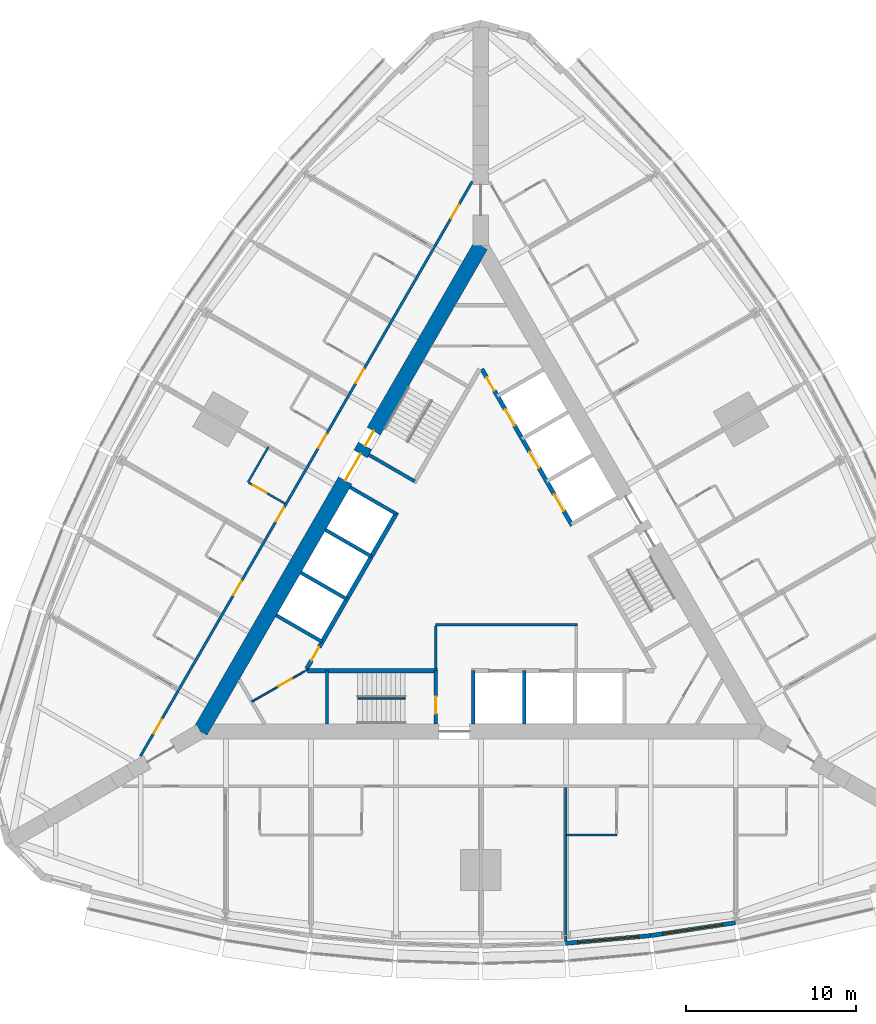
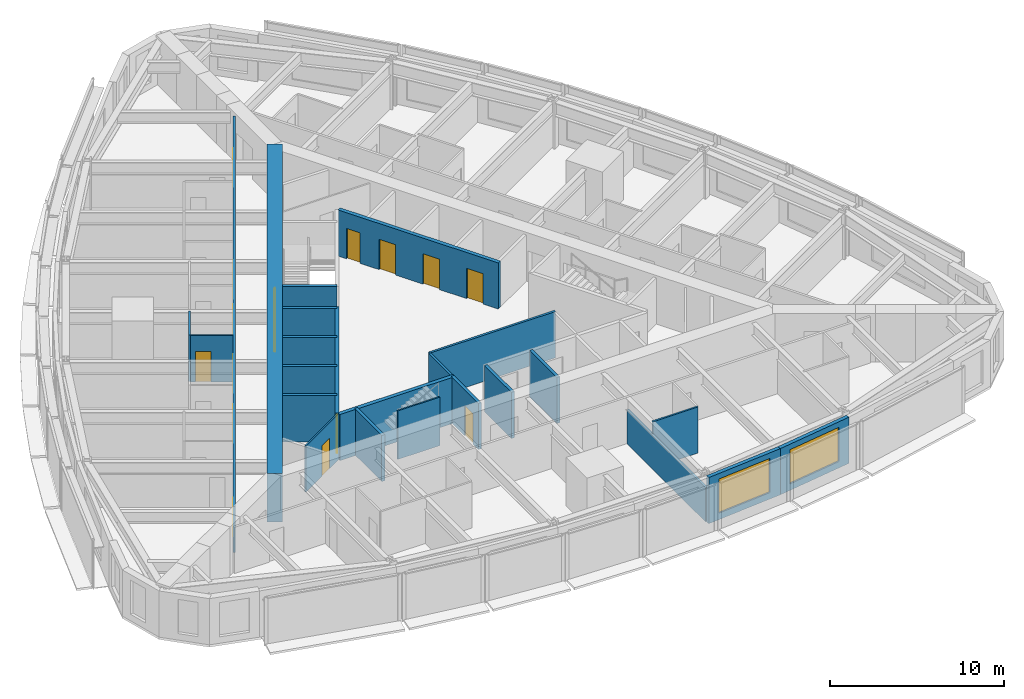
# One storey, part 9 of 14: 24 walls, 16 doors, 2 windows, 18 openings.
"""IFC4 building model written with IfcOpenShell, lengths in metres."""

from ifc_helpers import new_model, si_unit, direction, frame, frame_2d, origin, place, context, subcontext, project, spatial, rectangle, extrude, material, layer, layer_set, type_object, element, fill, save


model = new_model("IFC4")

# Units and contexts
model_context = context("Model", 3, precision=1e-05, world=origin(), true_north=direction((0.0, 1.0)))
body_context = subcontext(model_context, "Body", "Model", "MODEL_VIEW")
ifc_project = project(units=[si_unit("LENGTHUNIT", "METRE"), si_unit("AREAUNIT", "SQUARE_METRE"), si_unit("VOLUMEUNIT", "CUBIC_METRE"), si_unit("PLANEANGLEUNIT", "RADIAN"), si_unit("MASSUNIT", "GRAM", prefix="KILO")], contexts=[model_context])

# Site, building, storey
site_placement = place(None, origin())
site = spatial("IfcSite", under=ifc_project, at=site_placement, CompositionType="ELEMENT")
building_placement = place(site_placement, origin())
building = spatial("IfcBuilding", under=site, at=building_placement, Name="Trikona Tower", CompositionType="ELEMENT")
storey_placement = place(building_placement, frame((0.0, 0.0, 52.300048828125)))
storey = spatial("IfcBuildingStorey", under=building, at=storey_placement, Name="L12", CompositionType="ELEMENT", Elevation=52.300048828125)

# Walls
ifc_material_1 = material(Name="Metal stud and cement board", Category="gypsum")
ifc_layer_1 = layer(ifc_material_1, 0.1201171875)
ifc_layer_set_1 = layer_set([ifc_layer_1], Name="Bathroom wall 120")
wall_type_1 = type_object("IfcWallType", Name="Bathroom wall 120", PredefinedType="PLUMBINGWALL", material=ifc_layer_set_1)
wall_1_placement = place(storey_placement, frame((5.0, -15.626220703125, 0.0), z_axis=(0.0, 0.0, 1.0), x_axis=(1.0, 0.0, 0.0)))
element("IfcWall", 1, at=wall_1_placement, inside=storey, type_object=wall_type_1, Name="Bathroom wall 1203", PredefinedType="PLUMBINGWALL", context=body_context, shape_type="SweptSolid", body=[
    extrude(rectangle(XDim=3.0, YDim=0.1201171875, at=frame_2d((1.5, 0.0))), origin(), (0.0, 0.0, 1.0), 3.23486328125),
])
wall_2_placement = place(storey_placement, frame((-12.493408203125, 7.213134765625, 0.0), z_axis=(0.0, 0.0, 1.0), x_axis=(-0.500077600433, -0.865980596518, 0.0)))
element("IfcWall", 2, at=wall_2_placement, inside=storey, type_object=wall_type_1, Name="Bathroom wall 1214", PredefinedType="PLUMBINGWALL", context=body_context, shape_type="SweptSolid", body=[
    extrude(rectangle(XDim=2.39990234375, YDim=0.1201171875, at=frame_2d((1.199951171875, 0.0))), origin(), (0.0, 0.0, 1.0), 3.23486328125),
])

# Wall, opening, door
wall_3_placement = place(storey_placement, frame((-11.528564453125, 3.884765625, 0.0), z_axis=(0.0, 0.0, 1.0), x_axis=(-0.866023955769, 0.500002508028, 0.0)))
wall_3 = element("IfcWall", 3, at=wall_3_placement, inside=storey, type_object=wall_type_1, Name="Bathroom wall 1214", PredefinedType="PLUMBINGWALL", context=body_context, shape_type="SweptSolid", body=[
    extrude(rectangle(XDim=2.43994140625, YDim=0.1201171875, at=frame_2d((1.219970703125, 0.0))), origin(), (0.0, 0.0, 1.0), 3.23486328125),
])
opening_1_placement = place(wall_3_placement, frame((1.25, 0.0, 0.0)))
opening_1 = element("IfcOpeningElement", 4, at=opening_1_placement, cuts=wall_3, Name="Opening D2", PredefinedType="OPENING", context=body_context, shape_type="SweptSolid", body=[
    extrude(rectangle(XDim=0.89990234375, YDim=2.1298828125, at=frame_2d((0.449951171875, 1.06494140625))), frame((0.0, 0.070068359375, 0.0), z_axis=(0.0, -1.0, 0.0), x_axis=(1.0, 0.0, 0.0)), (0.0, 0.0, 1.0), 0.14013671875),
])
ifc_material_2 = material(Name="Steel door frame with solid-core timber leaf", Category="steel")
door_type_1 = type_object("IfcDoorType", Name="Bathroom door 900x2130", OperationType="SLIDING_TO_LEFT", PredefinedType="DOOR", material=ifc_material_2)
door_1_placement = place(opening_1_placement, origin())
door_1 = element("IfcDoor", 5, at=door_1_placement, inside=storey, type_object=door_type_1, Name="Bathroom door 1214", OperationType="SLIDING_TO_LEFT", OverallHeight=2.1298828125, OverallWidth=0.89990234375, PredefinedType="DOOR", context=body_context, shape_type="SweptSolid", body=[
    extrude(rectangle(XDim=0.89990234375, YDim=2.1298828125, at=frame_2d((0.449951171875, 1.06494140625))), frame((0.0, 0.02490234375, 0.0), z_axis=(0.0, -1.0, 0.0), x_axis=(1.0, 0.0, 0.0)), (0.0, 0.0, 1.0), 0.050048828125),
])
fill(opening_1, door_1)

# Wall, openings, doors
ifc_material_3 = material(Name="Concrete f'c 10000 psi", Category="concrete")
ifc_layer_2 = layer(ifc_material_3, 0.89990234375)
ifc_layer_set_2 = layer_set([ifc_layer_2], Name="Core wall 900")
wall_type_2 = type_object("IfcWallType", Name="Core wall 900", PredefinedType="SHEAR", material=ifc_layer_set_2)
wall_4_placement = place(storey_placement, frame((0.0, 19.052490234375, 0.0), z_axis=(0.0, 0.0, 1.0), x_axis=(-0.499999749417, -0.866025548458, 0.0)))
wall_4 = element("IfcWall", 6, at=wall_4_placement, inside=storey, type_object=wall_type_2, Name="Core wall C", PredefinedType="SHEAR", context=body_context, shape_type="SweptSolid", body=[
    extrude(rectangle(XDim=33.0, YDim=0.89990234375, at=frame_2d((16.5, 0.0))), origin(), (0.0, 0.0, 1.0), 3.39990234375),
])
opening_2_placement = place(wall_4_placement, frame((14.14990234375, 0.0, 0.0)))
opening_2 = element("IfcOpeningElement", 7, at=opening_2_placement, cuts=wall_4, Name="Opening D6", PredefinedType="OPENING", context=body_context, shape_type="SweptSolid", body=[
    extrude(rectangle(XDim=1.800048828125, YDim=2.1298828125, at=frame_2d((0.89990234375, 1.06494140625))), frame((0.0, 0.4599609375, 0.0), z_axis=(0.0, -1.0, 0.0), x_axis=(1.0, 0.0, 0.0)), (0.0, 0.0, 1.0), 0.919921875),
])
opening_3_placement = place(wall_4_placement, frame((12.60009765625, 0.0, 0.0)))
opening_3 = element("IfcOpeningElement", 8, at=opening_3_placement, cuts=wall_4, Name="Opening D5", PredefinedType="OPENING", context=body_context, shape_type="SweptSolid", body=[
    extrude(rectangle(XDim=1.0, YDim=2.1298828125, at=frame_2d((0.5, 1.06494140625))), frame((0.0, 0.4599609375, 0.0), z_axis=(0.0, -1.0, 0.0), x_axis=(1.0, 0.0, 0.0)), (0.0, 0.0, 1.0), 0.919921875),
])
ifc_material_4 = material(Name="Hollow metal door and frame", Category="steel")
door_type_2 = type_object("IfcDoorType", Name="Lobby door pair 1800x2130", OperationType="DOUBLE_DOOR_SINGLE_SWING", PredefinedType="DOOR", material=ifc_material_4)
door_2_placement = place(opening_2_placement, origin())
door_2 = element("IfcDoor", 9, at=door_2_placement, inside=storey, type_object=door_type_2, Name="Lift lobby door C", OperationType="DOUBLE_DOOR_SINGLE_SWING", OverallHeight=2.1298828125, OverallWidth=1.800048828125, PredefinedType="DOOR", context=body_context, shape_type="SweptSolid", body=[
    extrude(rectangle(XDim=1.800048828125, YDim=2.1298828125, at=frame_2d((0.89990234375, 1.06494140625))), frame((0.0, 0.02490234375, 0.0), z_axis=(0.0, -1.0, 0.0), x_axis=(1.0, 0.0, 0.0)), (0.0, 0.0, 1.0), 0.050048828125),
])
fill(opening_2, door_2)
ifc_material_5 = material(Name="Hollow metal door and frame", Category="steel")
door_type_3 = type_object("IfcDoorType", Name="Stair door 1000x2130", OperationType="SINGLE_SWING_LEFT", PredefinedType="DOOR", material=ifc_material_5)
door_3_placement = place(opening_3_placement, origin())
door_3 = element("IfcDoor", 10, at=door_3_placement, inside=storey, type_object=door_type_3, Name="Stair C door", OperationType="SINGLE_SWING_RIGHT", OverallHeight=2.1298828125, OverallWidth=1.0, PredefinedType="DOOR", context=body_context, shape_type="SweptSolid", body=[
    extrude(rectangle(XDim=1.0, YDim=2.1298828125, at=frame_2d((0.5, 1.06494140625))), frame((0.0, 0.02490234375, 0.0), z_axis=(0.0, -1.0, 0.0), x_axis=(1.0, 0.0, 0.0)), (0.0, 0.0, 1.0), 0.050048828125),
])
fill(opening_3, door_3)

ifc_material_6 = material(Name="Metal stud and gypsum board, 1-hour", Category="gypsum")
ifc_layer_3 = layer(ifc_material_6, 0.14990234375)
ifc_layer_set_3 = layer_set([ifc_layer_3], Name="Corridor wall 150")
wall_type_3 = type_object("IfcWallType", Name="Corridor wall 150", PredefinedType="PARTITIONING", material=ifc_layer_set_3)
wall_5_placement = place(storey_placement, frame((-0.5, 22.83642578125, 0.0), z_axis=(0.0, 0.0, 1.0), x_axis=(-0.500001677587, -0.866024435227, 0.0)))
wall_5 = element("IfcWall", 11, at=wall_5_placement, inside=storey, type_object=wall_type_3, Name="Corridor wall L12-3", PredefinedType="PARTITIONING", context=body_context, shape_type="SweptSolid", body=[
    extrude(rectangle(XDim=39.053955078125, YDim=0.14990234375, at=frame_2d((19.52685546875, 0.0))), origin(), (0.0, 0.0, 1.0), 3.23486328125),
])
opening_4_placement = place(wall_5_placement, frame((1.558349609375, 0.0, 0.0)))
opening_4 = element("IfcOpeningElement", 12, at=opening_4_placement, cuts=wall_5, Name="Opening D1", PredefinedType="OPENING", context=body_context, shape_type="SweptSolid", body=[
    extrude(rectangle(XDim=0.949951171875, YDim=2.1298828125, at=frame_2d((0.47509765625, 1.06494140625))), frame((0.0, 0.0849609375, 0.0), z_axis=(0.0, -1.0, 0.0), x_axis=(1.0, 0.0, 0.0)), (0.0, 0.0, 1.0), 0.169921875),
])
opening_5_placement = place(wall_5_placement, frame((12.751953125, 0.0, 0.0)))
opening_5 = element("IfcOpeningElement", 13, at=opening_5_placement, cuts=wall_5, Name="Opening D1", PredefinedType="OPENING", context=body_context, shape_type="SweptSolid", body=[
    extrude(rectangle(XDim=0.949951171875, YDim=2.1298828125, at=frame_2d((0.47509765625, 1.06494140625))), frame((0.0, 0.0849609375, 0.0), z_axis=(0.0, -1.0, 0.0), x_axis=(1.0, 0.0, 0.0)), (0.0, 0.0, 1.0), 0.169921875),
])
opening_6_placement = place(wall_5_placement, frame((17.152099609375, 0.0, 0.0)))
opening_6 = element("IfcOpeningElement", 14, at=opening_6_placement, cuts=wall_5, Name="Opening D1", PredefinedType="OPENING", context=body_context, shape_type="SweptSolid", body=[
    extrude(rectangle(XDim=0.949951171875, YDim=2.1298828125, at=frame_2d((0.47509765625, 1.06494140625))), frame((0.0, 0.0849609375, 0.0), z_axis=(0.0, -1.0, 0.0), x_axis=(1.0, 0.0, 0.0)), (0.0, 0.0, 1.0), 0.169921875),
])
opening_7_placement = place(wall_5_placement, frame((22.152099609375, 0.0, 0.0)))
opening_7 = element("IfcOpeningElement", 15, at=opening_7_placement, cuts=wall_5, Name="Opening D1", PredefinedType="OPENING", context=body_context, shape_type="SweptSolid", body=[
    extrude(rectangle(XDim=0.949951171875, YDim=2.1298828125, at=frame_2d((0.47509765625, 1.06494140625))), frame((0.0, 0.0849609375, 0.0), z_axis=(0.0, -1.0, 0.0), x_axis=(1.0, 0.0, 0.0)), (0.0, 0.0, 1.0), 0.169921875),
])
opening_8_placement = place(wall_5_placement, frame((27.152099609375, 0.0, 0.0)))
opening_8 = element("IfcOpeningElement", 16, at=opening_8_placement, cuts=wall_5, Name="Opening D1", PredefinedType="OPENING", context=body_context, shape_type="SweptSolid", body=[
    extrude(rectangle(XDim=0.949951171875, YDim=2.1298828125, at=frame_2d((0.47509765625, 1.06494140625))), frame((0.0, 0.0849609375, 0.0), z_axis=(0.0, -1.0, 0.0), x_axis=(1.0, 0.0, 0.0)), (0.0, 0.0, 1.0), 0.169921875),
])
opening_9_placement = place(wall_5_placement, frame((36.545654296875, 0.0, 0.0)))
opening_9 = element("IfcOpeningElement", 17, at=opening_9_placement, cuts=wall_5, Name="Opening D1", PredefinedType="OPENING", context=body_context, shape_type="SweptSolid", body=[
    extrude(rectangle(XDim=0.949951171875, YDim=2.1298828125, at=frame_2d((0.47509765625, 1.06494140625))), frame((0.0, 0.0849609375, 0.0), z_axis=(0.0, -1.0, 0.0), x_axis=(1.0, 0.0, 0.0)), (0.0, 0.0, 1.0), 0.169921875),
])
ifc_material_7 = material(Name="Steel door frame with solid-core timber leaf", Category="steel")
door_type_4 = type_object("IfcDoorType", Name="Guest room door 950x2130", OperationType="SINGLE_SWING_LEFT", PredefinedType="DOOR", material=ifc_material_7)
door_4_placement = place(opening_4_placement, origin())
door_4 = element("IfcDoor", 18, at=door_4_placement, inside=storey, type_object=door_type_4, Name="Room door 1211", OperationType="SINGLE_SWING_LEFT", OverallHeight=2.1298828125, OverallWidth=0.949951171875, PredefinedType="DOOR", context=body_context, shape_type="SweptSolid", body=[
    extrude(rectangle(XDim=0.949951171875, YDim=2.1298828125, at=frame_2d((0.47509765625, 1.06494140625))), frame((0.0, 0.02490234375, 0.0), z_axis=(0.0, -1.0, 0.0), x_axis=(1.0, 0.0, 0.0)), (0.0, 0.0, 1.0), 0.050048828125),
])
fill(opening_4, door_4)
door_5_placement = place(opening_5_placement, origin())
door_5 = element("IfcDoor", 19, at=door_5_placement, inside=storey, type_object=door_type_4, Name="Room door 1212", OperationType="SINGLE_SWING_RIGHT", OverallHeight=2.1298828125, OverallWidth=0.949951171875, PredefinedType="DOOR", context=body_context, shape_type="SweptSolid", body=[
    extrude(rectangle(XDim=0.949951171875, YDim=2.1298828125, at=frame_2d((0.47509765625, 1.06494140625))), frame((0.0, 0.02490234375, 0.0), z_axis=(0.0, -1.0, 0.0), x_axis=(1.0, 0.0, 0.0)), (0.0, 0.0, 1.0), 0.050048828125),
])
fill(opening_5, door_5)
door_6_placement = place(opening_6_placement, origin())
door_6 = element("IfcDoor", 20, at=door_6_placement, inside=storey, type_object=door_type_4, Name="Room door 1213", OperationType="SINGLE_SWING_LEFT", OverallHeight=2.1298828125, OverallWidth=0.949951171875, PredefinedType="DOOR", context=body_context, shape_type="SweptSolid", body=[
    extrude(rectangle(XDim=0.949951171875, YDim=2.1298828125, at=frame_2d((0.47509765625, 1.06494140625))), frame((0.0, 0.02490234375, 0.0), z_axis=(0.0, -1.0, 0.0), x_axis=(1.0, 0.0, 0.0)), (0.0, 0.0, 1.0), 0.050048828125),
])
fill(opening_6, door_6)
door_7_placement = place(opening_7_placement, origin())
door_7 = element("IfcDoor", 21, at=door_7_placement, inside=storey, type_object=door_type_4, Name="Room door 1214", OperationType="SINGLE_SWING_RIGHT", OverallHeight=2.1298828125, OverallWidth=0.949951171875, PredefinedType="DOOR", context=body_context, shape_type="SweptSolid", body=[
    extrude(rectangle(XDim=0.949951171875, YDim=2.1298828125, at=frame_2d((0.47509765625, 1.06494140625))), frame((0.0, 0.02490234375, 0.0), z_axis=(0.0, -1.0, 0.0), x_axis=(1.0, 0.0, 0.0)), (0.0, 0.0, 1.0), 0.050048828125),
])
fill(opening_7, door_7)
door_8_placement = place(opening_8_placement, origin())
door_8 = element("IfcDoor", 22, at=door_8_placement, inside=storey, type_object=door_type_4, Name="Room door 1215", OperationType="SINGLE_SWING_LEFT", OverallHeight=2.1298828125, OverallWidth=0.949951171875, PredefinedType="DOOR", context=body_context, shape_type="SweptSolid", body=[
    extrude(rectangle(XDim=0.949951171875, YDim=2.1298828125, at=frame_2d((0.47509765625, 1.06494140625))), frame((0.0, 0.02490234375, 0.0), z_axis=(0.0, -1.0, 0.0), x_axis=(1.0, 0.0, 0.0)), (0.0, 0.0, 1.0), 0.050048828125),
])
fill(opening_8, door_8)
door_9_placement = place(opening_9_placement, origin())
door_9 = element("IfcDoor", 23, at=door_9_placement, inside=storey, type_object=door_type_4, Name="Room door 1216", OperationType="SINGLE_SWING_RIGHT", OverallHeight=2.1298828125, OverallWidth=0.949951171875, PredefinedType="DOOR", context=body_context, shape_type="SweptSolid", body=[
    extrude(rectangle(XDim=0.949951171875, YDim=2.1298828125, at=frame_2d((0.47509765625, 1.06494140625))), frame((0.0, 0.02490234375, 0.0), z_axis=(0.0, -1.0, 0.0), x_axis=(1.0, 0.0, 0.0)), (0.0, 0.0, 1.0), 0.050048828125),
])
fill(opening_9, door_9)

# Wall
ifc_material_8 = material(Name="Concrete f'c 8000 psi", Category="concrete")
ifc_layer_4 = layer(ifc_material_8, 0.25)
ifc_layer_set_4 = layer_set([ifc_layer_4], Name="Hub wall 250")
wall_type_4 = type_object("IfcWallType", Name="Hub wall 250", PredefinedType="SOLIDWALL", material=ifc_layer_set_4)
wall_6_placement = place(storey_placement, frame((-10.182861328125, -5.951416015625, 0.0), z_axis=(0.0, 0.0, 1.0), x_axis=(1.0, 0.0, 0.0)))
element("IfcWall", 24, at=wall_6_placement, inside=storey, type_object=wall_type_4, Name="Lift lobby wall A1", PredefinedType="SOLIDWALL", context=body_context, shape_type="SweptSolid", body=[
    extrude(rectangle(XDim=7.6328125, YDim=0.25, at=frame_2d((3.81640625, 0.0))), origin(), (0.0, 0.0, 1.0), 3.23486328125),
])

# Wall, openings, doors
wall_7_placement = place(storey_placement, frame((5.37890625, 2.5859375, 0.0), z_axis=(0.0, 0.0, 1.0), x_axis=(-0.500001375892, 0.866024609411, 0.0)))
wall_7 = element("IfcWall", 25, at=wall_7_placement, inside=storey, type_object=wall_type_4, Name="Lift lobby wall B2", PredefinedType="SOLIDWALL", context=body_context, shape_type="SweptSolid", body=[
    extrude(rectangle(XDim=10.6328125, YDim=0.25, at=frame_2d((5.31640625, 0.0))), origin(), (0.0, 0.0, 1.0), 3.23486328125),
])
opening_10_placement = place(wall_7_placement, frame((9.1640625, 0.0, 0.0)))
opening_10 = element("IfcOpeningElement", 26, at=opening_10_placement, cuts=wall_7, Name="Opening D14", PredefinedType="OPENING", context=body_context, shape_type="SweptSolid", body=[
    extrude(rectangle(XDim=0.89990234375, YDim=2.1298828125, at=frame_2d((0.449951171875, 1.06494140625))), frame((0.0, 0.135009765625, 0.0), z_axis=(0.0, -1.0, 0.0), x_axis=(1.0, 0.0, 0.0)), (0.0, 0.0, 1.0), 0.27001953125),
])
opening_11_placement = place(wall_7_placement, frame((1.0, 0.0, 0.0)))
opening_11 = element("IfcOpeningElement", 27, at=opening_11_placement, cuts=wall_7, Name="Opening LD", PredefinedType="OPENING", context=body_context, shape_type="SweptSolid", body=[
    extrude(rectangle(XDim=1.10009765625, YDim=2.1298828125, at=frame_2d((0.550048828125, 1.06494140625))), frame((0.0, 0.135009765625, 0.0), z_axis=(0.0, -1.0, 0.0), x_axis=(1.0, 0.0, 0.0)), (0.0, 0.0, 1.0), 0.27001953125),
])
opening_12_placement = place(wall_7_placement, frame((3.89990234375, 0.0, 0.0)))
opening_12 = element("IfcOpeningElement", 28, at=opening_12_placement, cuts=wall_7, Name="Opening LD", PredefinedType="OPENING", context=body_context, shape_type="SweptSolid", body=[
    extrude(rectangle(XDim=1.10009765625, YDim=2.1298828125, at=frame_2d((0.550048828125, 1.06494140625))), frame((0.0, 0.135009765625, 0.0), z_axis=(0.0, -1.0, 0.0), x_axis=(1.0, 0.0, 0.0)), (0.0, 0.0, 1.0), 0.27001953125),
])
opening_13_placement = place(wall_7_placement, frame((6.800048828125, 0.0, 0.0)))
opening_13 = element("IfcOpeningElement", 29, at=opening_13_placement, cuts=wall_7, Name="Opening LD", PredefinedType="OPENING", context=body_context, shape_type="SweptSolid", body=[
    extrude(rectangle(XDim=1.10009765625, YDim=2.1298828125, at=frame_2d((0.550048828125, 1.06494140625))), frame((0.0, 0.135009765625, 0.0), z_axis=(0.0, -1.0, 0.0), x_axis=(1.0, 0.0, 0.0)), (0.0, 0.0, 1.0), 0.27001953125),
])
ifc_material_9 = material(Name="Stainless steel lift landing door", Category="steel")
door_type_5 = type_object("IfcDoorType", Name="Lift landing door 1100x2130", OperationType="DOUBLE_DOOR_SLIDING", PredefinedType="USERDEFINED", material=ifc_material_9)
door_10_placement = place(opening_11_placement, origin())
door_10 = element("IfcDoor", 30, at=door_10_placement, inside=storey, type_object=door_type_5, Name="Lift landing door L1-1", ObjectType="LIFT LANDING DOOR", OperationType="DOUBLE_DOOR_SLIDING", OverallHeight=2.1298828125, OverallWidth=1.10009765625, PredefinedType="USERDEFINED", context=body_context, shape_type="SweptSolid", body=[
    extrude(rectangle(XDim=1.10009765625, YDim=2.1298828125, at=frame_2d((0.550048828125, 1.06494140625))), frame((0.0, 0.02490234375, 0.0), z_axis=(0.0, -1.0, 0.0), x_axis=(1.0, 0.0, 0.0)), (0.0, 0.0, 1.0), 0.050048828125),
])
fill(opening_11, door_10)
door_11_placement = place(opening_12_placement, origin())
door_11 = element("IfcDoor", 31, at=door_11_placement, inside=storey, type_object=door_type_5, Name="Lift landing door L1-2", ObjectType="LIFT LANDING DOOR", OperationType="DOUBLE_DOOR_SLIDING", OverallHeight=2.1298828125, OverallWidth=1.10009765625, PredefinedType="USERDEFINED", context=body_context, shape_type="SweptSolid", body=[
    extrude(rectangle(XDim=1.10009765625, YDim=2.1298828125, at=frame_2d((0.550048828125, 1.06494140625))), frame((0.0, 0.02490234375, 0.0), z_axis=(0.0, -1.0, 0.0), x_axis=(1.0, 0.0, 0.0)), (0.0, 0.0, 1.0), 0.050048828125),
])
fill(opening_12, door_11)
door_12_placement = place(opening_13_placement, origin())
door_12 = element("IfcDoor", 32, at=door_12_placement, inside=storey, type_object=door_type_5, Name="Lift landing door L1-3", ObjectType="LIFT LANDING DOOR", OperationType="DOUBLE_DOOR_SLIDING", OverallHeight=2.1298828125, OverallWidth=1.10009765625, PredefinedType="USERDEFINED", context=body_context, shape_type="SweptSolid", body=[
    extrude(rectangle(XDim=1.10009765625, YDim=2.1298828125, at=frame_2d((0.550048828125, 1.06494140625))), frame((0.0, 0.02490234375, 0.0), z_axis=(0.0, -1.0, 0.0), x_axis=(1.0, 0.0, 0.0)), (0.0, 0.0, 1.0), 0.050048828125),
])
fill(opening_13, door_12)
ifc_material_10 = material(Name="Hollow metal door and frame", Category="steel")
door_type_6 = type_object("IfcDoorType", Name="Service room door 900x2130", OperationType="SINGLE_SWING_LEFT", PredefinedType="DOOR", material=ifc_material_10)
door_13_placement = place(opening_10_placement, origin())
door_13 = element("IfcDoor", 33, at=door_13_placement, inside=storey, type_object=door_type_6, Name="Door Linen store LIN", OperationType="SINGLE_SWING_RIGHT", OverallHeight=2.1298828125, OverallWidth=0.89990234375, PredefinedType="DOOR", context=body_context, shape_type="SweptSolid", body=[
    extrude(rectangle(XDim=0.89990234375, YDim=2.1298828125, at=frame_2d((0.449951171875, 1.06494140625))), frame((0.0, 0.02490234375, 0.0), z_axis=(0.0, -1.0, 0.0), x_axis=(1.0, 0.0, 0.0)), (0.0, 0.0, 1.0), 0.050048828125),
])
fill(opening_10, door_13)

# Wall, opening, door
wall_8_placement = place(storey_placement, frame((-4.928955078125, 3.365478515625, 0.0), z_axis=(0.0, 0.0, 1.0), x_axis=(-0.499991433582, -0.866030349552, 0.0)))
wall_8 = element("IfcWall", 34, at=wall_8_placement, inside=storey, type_object=wall_type_4, Name="Lift lobby wall C2", PredefinedType="SOLIDWALL", context=body_context, shape_type="SweptSolid", body=[
    extrude(rectangle(XDim=10.633056640625, YDim=0.25, at=frame_2d((5.31640625, 0.0))), origin(), (0.0, 0.0, 1.0), 3.23486328125),
])
opening_14_placement = place(wall_8_placement, frame((9.1640625, 0.0, 0.0)))
opening_14 = element("IfcOpeningElement", 35, at=opening_14_placement, cuts=wall_8, Name="Opening D14", PredefinedType="OPENING", context=body_context, shape_type="SweptSolid", body=[
    extrude(rectangle(XDim=0.89990234375, YDim=2.1298828125, at=frame_2d((0.449951171875, 1.06494140625))), frame((0.0, 0.135009765625, 0.0), z_axis=(0.0, -1.0, 0.0), x_axis=(1.0, 0.0, 0.0)), (0.0, 0.0, 1.0), 0.27001953125),
])
door_14_placement = place(opening_14_placement, origin())
door_14 = element("IfcDoor", 36, at=door_14_placement, inside=storey, type_object=door_type_6, Name="Door Housekeeping store HKS", OperationType="SINGLE_SWING_RIGHT", OverallHeight=2.1298828125, OverallWidth=0.89990234375, PredefinedType="DOOR", context=body_context, shape_type="SweptSolid", body=[
    extrude(rectangle(XDim=0.89990234375, YDim=2.1298828125, at=frame_2d((0.449951171875, 1.06494140625))), frame((0.0, 0.02490234375, 0.0), z_axis=(0.0, -1.0, 0.0), x_axis=(1.0, 0.0, 0.0)), (0.0, 0.0, 1.0), 0.050048828125),
])
fill(opening_14, door_14)

# Wall, opening, window
ifc_material_11 = material(Name="Insulated precast concrete spandrel panel", Category="concrete")
ifc_layer_5 = layer(ifc_material_11, 0.25)
ifc_layer_set_5 = layer_set([ifc_layer_5], Name="Inner skin wall 250")
wall_type_5 = type_object("IfcWallType", Name="Inner skin wall 250", PredefinedType="STANDARD", material=ifc_layer_set_5)
wall_9_placement = place(storey_placement, frame((4.988525390625, -21.995849609375, 0.0), z_axis=(0.0, 0.0, 1.0), x_axis=(0.995857256774, 0.090930325692, 0.0)))
wall_9 = element("IfcWall", 37, at=wall_9_placement, inside=storey, type_object=wall_type_5, Name="External wall L12-05", PredefinedType="STANDARD", context=body_context, shape_type="SweptSolid", body=[
    extrude(rectangle(XDim=5.020751953125, YDim=0.25, at=frame_2d((2.51025390625, 0.0))), origin(), (0.0, 0.0, 1.0), 3.23486328125),
])
opening_15_placement = place(wall_9_placement, frame((0.71044921875, 0.0, 0.449951171875)))
opening_15 = element("IfcOpeningElement", 38, at=opening_15_placement, cuts=wall_9, Name="Opening W3624", PredefinedType="OPENING", context=body_context, shape_type="SweptSolid", body=[
    extrude(rectangle(XDim=3.60009765625, YDim=2.39990234375, at=frame_2d((1.800048828125, 1.199951171875))), frame((0.0, 0.135009765625, 0.0), z_axis=(0.0, -1.0, 0.0), x_axis=(1.0, 0.0, 0.0)), (0.0, 0.0, 1.0), 0.27001953125),
])
ifc_material_12 = material(Name="Aluminium-framed double glazing", Category="aluminium")
window_type = type_object("IfcWindowType", Name="Window 3600x2400", PartitioningType="SINGLE_PANEL", PredefinedType="WINDOW", material=ifc_material_12)
window_1_placement = place(opening_15_placement, origin())
window_1 = element("IfcWindow", 39, at=window_1_placement, inside=storey, type_object=window_type, Name="Window 1203", OverallHeight=2.39990234375, OverallWidth=3.60009765625, PartitioningType="SINGLE_PANEL", PredefinedType="WINDOW", context=body_context, shape_type="SweptSolid", body=[
    extrude(rectangle(XDim=3.60009765625, YDim=2.39990234375, at=frame_2d((1.800048828125, 1.199951171875))), frame((0.0, 0.030029296875, 0.0), z_axis=(0.0, -1.0, 0.0), x_axis=(1.0, 0.0, 0.0)), (0.0, 0.0, 1.0), 0.06005859375),
])
fill(opening_15, window_1)

wall_10_placement = place(storey_placement, frame((9.981201171875, -21.540283203125, 0.0), z_axis=(0.0, 0.0, 1.0), x_axis=(0.988615403399, 0.150464561152, 0.0)))
wall_10 = element("IfcWall", 40, at=wall_10_placement, inside=storey, type_object=wall_type_5, Name="External wall L12-06", PredefinedType="STANDARD", context=body_context, shape_type="SweptSolid", body=[
    extrude(rectangle(XDim=5.0576171875, YDim=0.25, at=frame_2d((2.52880859375, 0.0))), origin(), (0.0, 0.0, 1.0), 3.23486328125),
])
opening_16_placement = place(wall_10_placement, frame((0.728759765625, 0.0, 0.449951171875)))
opening_16 = element("IfcOpeningElement", 41, at=opening_16_placement, cuts=wall_10, Name="Opening W3624", PredefinedType="OPENING", context=body_context, shape_type="SweptSolid", body=[
    extrude(rectangle(XDim=3.60009765625, YDim=2.39990234375, at=frame_2d((1.800048828125, 1.199951171875))), frame((0.0, 0.135009765625, 0.0), z_axis=(0.0, -1.0, 0.0), x_axis=(1.0, 0.0, 0.0)), (0.0, 0.0, 1.0), 0.27001953125),
])
window_2_placement = place(opening_16_placement, origin())
window_2 = element("IfcWindow", 42, at=window_2_placement, inside=storey, type_object=window_type, Name="Window 1203", OverallHeight=2.39990234375, OverallWidth=3.60009765625, PartitioningType="SINGLE_PANEL", PredefinedType="WINDOW", context=body_context, shape_type="SweptSolid", body=[
    extrude(rectangle(XDim=3.60009765625, YDim=2.39990234375, at=frame_2d((1.800048828125, 1.199951171875))), frame((0.0, 0.030029296875, 0.0), z_axis=(0.0, -1.0, 0.0), x_axis=(1.0, 0.0, 0.0)), (0.0, 0.0, 1.0), 0.06005859375),
])
fill(opening_16, window_2)

# Walls
ifc_material_13 = material(Name="Metal stud and gypsum board, 2-hour shaft wall", Category="gypsum")
ifc_layer_6 = layer(ifc_material_13, 0.14990234375)
ifc_layer_set_6 = layer_set([ifc_layer_6], Name="Lobby wall 150")
wall_type_6 = type_object("IfcWallType", Name="Lobby wall 150", PredefinedType="PARTITIONING", material=ifc_layer_set_6)
wall_11_placement = place(storey_placement, frame((-2.64990234375, -3.251220703125, 0.0), z_axis=(0.0, 0.0, 1.0), x_axis=(1.0, 0.0, 0.0)))
element("IfcWall", 43, at=wall_11_placement, inside=storey, type_object=wall_type_6, Name="Fire service lift lobby wall 1", PredefinedType="PARTITIONING", context=body_context, shape_type="SweptSolid", body=[
    extrude(rectangle(XDim=8.349853515625, YDim=0.14990234375, at=frame_2d((4.1748046875, 0.0))), origin(), (0.0, 0.0, 1.0), 3.23486328125),
])
wall_12_placement = place(storey_placement, frame((-2.64990234375, -5.826416015625, 0.0), z_axis=(0.0, 0.0, 1.0), x_axis=(0.0, 1.0, 0.0)))
element("IfcWall", 44, at=wall_12_placement, inside=storey, type_object=wall_type_6, Name="Fire service lift lobby wall 2", PredefinedType="PARTITIONING", context=body_context, shape_type="SweptSolid", body=[
    extrude(rectangle(XDim=2.5, YDim=0.14990234375, at=frame_2d((1.25, 0.0))), origin(), (0.0, 0.0, 1.0), 3.23486328125),
])
ifc_material_14 = material(Name="Metal stud and gypsum board, 1-hour acoustic", Category="gypsum")
ifc_layer_7 = layer(ifc_material_14, 0.14990234375)
ifc_layer_set_7 = layer_set([ifc_layer_7], Name="Party wall 150")
wall_type_7 = type_object("IfcWallType", Name="Party wall 150", PredefinedType="PARTITIONING", material=ifc_layer_set_7)
wall_13_placement = place(storey_placement, frame((5.0, -12.826416015625, 0.0), z_axis=(0.0, 0.0, 1.0), x_axis=(0.0, -1.0, 0.0)))
element("IfcWall", 45, at=wall_13_placement, inside=storey, type_object=wall_type_7, Name="Partition L12 F1 u5", PredefinedType="PARTITIONING", context=body_context, shape_type="SweptSolid", body=[
    extrude(rectangle(XDim=9.04296875, YDim=0.14990234375, at=frame_2d((4.521484375, 0.0))), origin(), (0.0, 0.0, 1.0), 2.38916015625),
])
ifc_material_15 = material(Name="Concrete f'c 8000 psi", Category="concrete")
ifc_layer_8 = layer(ifc_material_15, 0.199951171875)
ifc_layer_set_8 = layer_set([ifc_layer_8], Name="Shaft wall 200")
wall_type_8 = type_object("IfcWallType", Name="Shaft wall 200", PredefinedType="SOLIDWALL", material=ifc_layer_set_8)
for number, where, z_axis, x_axis, name in (
    (46, (-0.449951171875, -5.951416015625, 0.0), (0.0, 0.0, 1.0), (0.0, -1.0, 0.0), "Shaft wall A3"),
    (47, (2.550048828125, -5.951416015625, 0.0), (0.0, 0.0, 1.0), (0.0, -1.0, 0.0), "Shaft wall A4"),
    (48, (-4.97900390625, 3.27880859375, 0.0), (0.0, 0.0, 1.0), (-0.866022959057, 0.500004234368, 0.0), "Shaft wall C3"),
    (49, (-6.428955078125, 0.767333984375, 0.0), (0.0, 0.0, 1.0), (-0.866022959057, 0.500004234368, 0.0), "Shaft wall C4"),
    (50, (-7.87890625, -1.744140625, 0.0), (0.0, 0.0, 1.0), (-0.866022959057, 0.500004234368, 0.0), "Shaft wall C5"),
    (51, (-9.3291015625, -4.255615234375, 0.0), (0.0, 0.0, 1.0), (-0.866022959057, 0.500004234368, 0.0), "Shaft wall C6"),
):
    element("IfcWall", number, at=place(storey_placement, frame(where, z_axis=z_axis, x_axis=x_axis)), inside=storey, type_object=wall_type_8, Name=name, PredefinedType="SOLIDWALL", context=body_context, shape_type="SweptSolid", body=[
        extrude(rectangle(XDim=3.125, YDim=0.199951171875, at=frame_2d((1.5625, 0.0))), origin(), (0.0, 0.0, 1.0), 3.23486328125),
    ])
ifc_material_16 = material(Name="Concrete f'c 8000 psi", Category="concrete")
ifc_layer_9 = layer(ifc_material_16, 0.199951171875)
ifc_layer_set_9 = layer_set([ifc_layer_9], Name="Shaft wall 200 load-bearing")
wall_type_9 = type_object("IfcWallType", Name="Shaft wall 200 load-bearing", PredefinedType="SOLIDWALL", material=ifc_layer_set_9)
wall_14_placement = place(storey_placement, frame((-9.050048828125, -5.951416015625, 0.0), z_axis=(0.0, 0.0, 1.0), x_axis=(0.0, -1.0, 0.0)))
element("IfcWall", 52, at=wall_14_placement, inside=storey, type_object=wall_type_9, Name="Shaft wall A1", PredefinedType="SOLIDWALL", context=body_context, shape_type="SweptSolid", body=[
    extrude(rectangle(XDim=3.125, YDim=0.199951171875, at=frame_2d((1.5625, 0.0))), origin(), (0.0, 0.0, 1.0), 3.23486328125),
])

# Wall, opening, door
wall_15_placement = place(storey_placement, frame((-2.64990234375, -5.951416015625, 0.0), z_axis=(0.0, 0.0, 1.0), x_axis=(0.0, -1.0, 0.0)))
wall_15 = element("IfcWall", 53, at=wall_15_placement, inside=storey, type_object=wall_type_9, Name="Shaft wall A2", PredefinedType="SOLIDWALL", context=body_context, shape_type="SweptSolid", body=[
    extrude(rectangle(XDim=3.125, YDim=0.199951171875, at=frame_2d((1.5625, 0.0))), origin(), (0.0, 0.0, 1.0), 3.23486328125),
])
opening_17_placement = place(wall_15_placement, frame((1.52490234375, 0.0, 0.0)))
opening_17 = element("IfcOpeningElement", 54, at=opening_17_placement, cuts=wall_15, Name="Opening D5", PredefinedType="OPENING", context=body_context, shape_type="SweptSolid", body=[
    extrude(rectangle(XDim=1.0, YDim=2.1298828125, at=frame_2d((0.5, 1.06494140625))), frame((0.0, 0.10986328125, 0.0), z_axis=(0.0, -1.0, 0.0), x_axis=(1.0, 0.0, 0.0)), (0.0, 0.0, 1.0), 0.219970703125),
])
door_15_placement = place(opening_17_placement, origin())
door_15 = element("IfcDoor", 55, at=door_15_placement, inside=storey, type_object=door_type_3, Name="Stair A door", OperationType="SINGLE_SWING_RIGHT", OverallHeight=2.1298828125, OverallWidth=1.0, PredefinedType="DOOR", context=body_context, shape_type="SweptSolid", body=[
    extrude(rectangle(XDim=1.0, YDim=2.1298828125, at=frame_2d((0.5, 1.06494140625))), frame((0.0, 0.02490234375, 0.0), z_axis=(0.0, -1.0, 0.0), x_axis=(1.0, 0.0, 0.0)), (0.0, 0.0, 1.0), 0.050048828125),
])
fill(opening_17, door_15)

# Walls
wall_16_placement = place(storey_placement, frame((-3.87890625, 5.18408203125, 0.0), z_axis=(0.0, 0.0, 1.0), x_axis=(-0.866022959057, 0.500004234368, 0.0)))
element("IfcWall", 56, at=wall_16_placement, inside=storey, type_object=wall_type_9, Name="Shaft wall C2", PredefinedType="SOLIDWALL", context=body_context, shape_type="SweptSolid", body=[
    extrude(rectangle(XDim=3.125, YDim=0.199951171875, at=frame_2d((1.5625, 0.0))), origin(), (0.0, 0.0, 1.0), 3.23486328125),
])
ifc_material_17 = material(Name="Concrete f'c 5000 psi", Category="concrete")
ifc_layer_10 = layer(ifc_material_17, 0.10009765625)
ifc_layer_set_10 = layer_set([ifc_layer_10], Name="Stair spine wall 100")
wall_type_10 = type_object("IfcWallType", Name="Stair spine wall 100", PredefinedType="SOLIDWALL", material=ifc_layer_set_10)
wall_17_placement = place(storey_placement, frame((-7.2470703125, -7.576416015625, 0.0), z_axis=(0.0, 0.0, 1.0), x_axis=(1.0, 0.0, 0.0)))
element("IfcWall", 57, at=wall_17_placement, inside=storey, type_object=wall_type_10, Name="Stair A spine wall L12", PredefinedType="SOLIDWALL", context=body_context, shape_type="SweptSolid", body=[
    extrude(rectangle(XDim=2.794189453125, YDim=0.10009765625, at=frame_2d((1.39697265625, 0.0))), origin(), (0.0, 0.0, 1.0), 3.39990234375),
])

# Wall, opening, door
ifc_material_18 = material(Name="Metal stud and gypsum board, acoustic", Category="gypsum")
ifc_layer_11 = layer(ifc_material_18, 0.10009765625)
ifc_layer_set_11 = layer_set([ifc_layer_11], Name="Suite partition 100")
wall_type_11 = type_object("IfcWallType", Name="Suite partition 100", PredefinedType="PARTITIONING", material=ifc_layer_set_11)
wall_18_placement = place(storey_placement, frame((-13.468994140625, -7.7763671875, 0.0), z_axis=(0.0, 0.0, 1.0), x_axis=(0.866021898093, 0.500006071987, 0.0)))
wall_18 = element("IfcWall", 58, at=wall_18_placement, inside=storey, type_object=wall_type_11, Name="Store partition L12-RS3", PredefinedType="PARTITIONING", context=body_context, shape_type="SweptSolid", body=[
    extrude(rectangle(XDim=3.775390625, YDim=0.10009765625, at=frame_2d((1.8876953125, 0.0))), origin(), (0.0, 0.0, 1.0), 3.23486328125),
])
opening_18_placement = place(wall_18_placement, frame((1.815185546875, 0.0, 0.0)))
opening_18 = element("IfcOpeningElement", 59, at=opening_18_placement, cuts=wall_18, Name="Opening D15", PredefinedType="OPENING", context=body_context, shape_type="SweptSolid", body=[
    extrude(rectangle(XDim=0.89990234375, YDim=2.1298828125, at=frame_2d((0.449951171875, 1.06494140625))), frame((0.0, 0.06005859375, 0.0), z_axis=(0.0, -1.0, 0.0), x_axis=(1.0, 0.0, 0.0)), (0.0, 0.0, 1.0), 0.1201171875),
])
ifc_material_19 = material(Name="Steel door frame with solid-core timber leaf", Category="steel")
door_type_7 = type_object("IfcDoorType", Name="Store door 900x2130", OperationType="SINGLE_SWING_LEFT", PredefinedType="DOOR", material=ifc_material_19)
door_16_placement = place(opening_18_placement, origin())
door_16 = element("IfcDoor", 60, at=door_16_placement, inside=storey, type_object=door_type_7, Name="Door Uniform store UNF", OperationType="SINGLE_SWING_RIGHT", OverallHeight=2.1298828125, OverallWidth=0.89990234375, PredefinedType="DOOR", context=body_context, shape_type="SweptSolid", body=[
    extrude(rectangle(XDim=0.89990234375, YDim=2.1298828125, at=frame_2d((0.449951171875, 1.06494140625))), frame((0.0, 0.02490234375, 0.0), z_axis=(0.0, -1.0, 0.0), x_axis=(1.0, 0.0, 0.0)), (0.0, 0.0, 1.0), 0.050048828125),
])
fill(opening_18, door_16)

save(model, "model.ifc")
